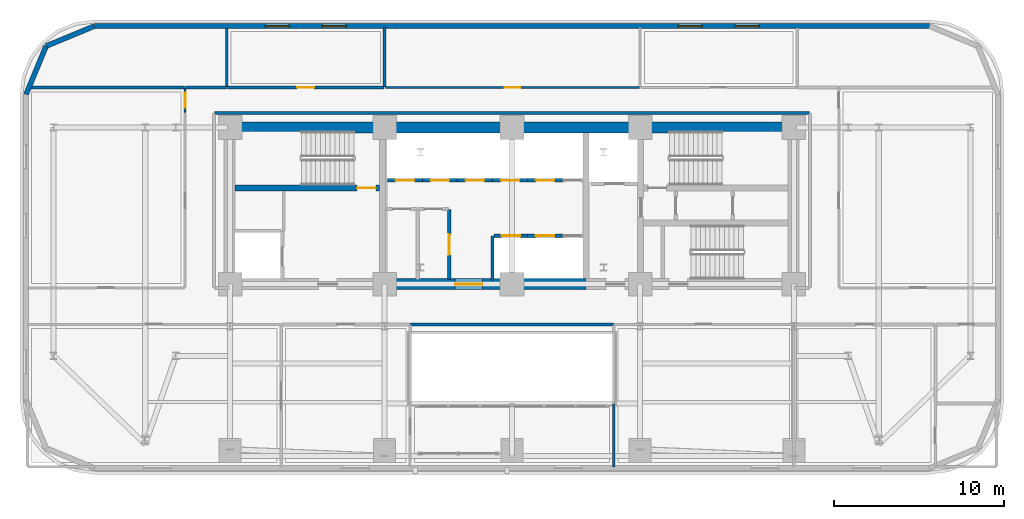
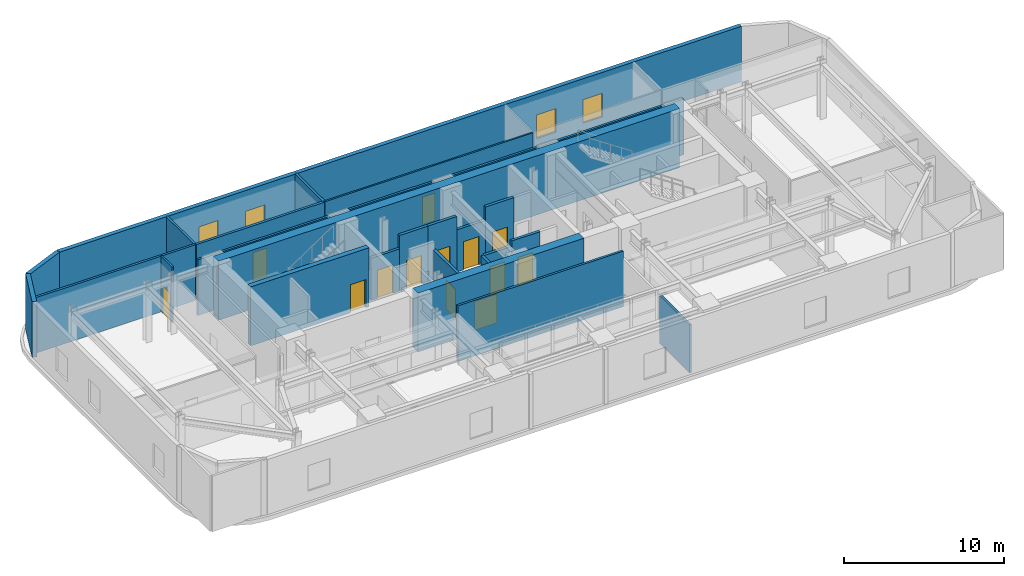
# One storey, part 9 of 14: 25 walls, 13 doors, 4 windows, 17 openings.
"""IFC4 building model written with IfcOpenShell, lengths in metres."""

import ifcopenshell
import ifcopenshell.guid

model = None  # the IFC model being written
_history = None  # IfcOwnerHistory: only IFC2X3 demands one
_inside = {}  # id of a spatial element -> (the spatial element, [elements in it])
_under = {}  # id of a project, library or spatial element -> (it, [spatial elements below it])
_declared = {}  # id of a project -> (the project, [libraries it declares])
_typed = {}  # id of a type object -> (the type object, [elements of that type])
_made_of = {}  # id of a material, layer set ... -> (it, [elements and type objects made of it])


def new_model(schema):
    """Start an empty IFC model of exactly this schema.

    Asked for "IFC4X3", IfcOpenShell would pick the latest addendum, in which some entities
    have other attributes; the version numbers below select the first issue.
    IFC2X3 requires an IfcOwnerHistory on every rooted entity: one is made here for all.
    """
    global model, _history
    if schema == "IFC4X3":
        model = ifcopenshell.file(schema_version=(4, 3, 0, 0))
    else:
        model = ifcopenshell.file(schema=schema)
    _inside.clear()
    _under.clear()
    _declared.clear()
    _typed.clear()
    _made_of.clear()
    _history = None
    if model.schema == "IFC2X3":
        org = make("IfcOrganization", Name="unknown")
        user = make(
            "IfcPersonAndOrganization",
            ThePerson=make("IfcPerson", FamilyName="unknown"),
            TheOrganization=org,
        )
        app = make(
            "IfcApplication",
            ApplicationDeveloper=org,
            Version="unknown",
            ApplicationFullName="unknown",
            ApplicationIdentifier="unknown",
        )
        _history = make(
            "IfcOwnerHistory",
            OwningUser=user,
            OwningApplication=app,
            ChangeAction="ADDED",
            CreationDate=0,
        )
    return model


def make(cls, **values):
    """One entity of the class cls with the attributes given. An attribute that is None is left unset."""
    return model.create_entity(
        cls, **{name: value for name, value in values.items() if value is not None}
    )


def rooted(cls, **values):
    """An entity with a GlobalId (a new one), such as an element, a storey or a relation."""
    return make(cls, GlobalId=ifcopenshell.guid.new(), OwnerHistory=_history, **values)


def si_unit(unit_type, name, prefix=None):
    """IfcSIUnit, for example si_unit("LENGTHUNIT", "METRE", prefix="MILLI")."""
    return make("IfcSIUnit", UnitType=unit_type, Prefix=prefix, Name=name)


def assignment(units):
    """IfcUnitAssignment: the units of a project."""
    return None if units is None else make("IfcUnitAssignment", Units=units)


def point(xyz):
    """IfcCartesianPoint."""
    return None if xyz is None else make("IfcCartesianPoint", Coordinates=xyz)


def direction(xyz):
    """IfcDirection."""
    return None if xyz is None else make("IfcDirection", DirectionRatios=xyz)


def frame(location, z_axis=None, x_axis=None):
    """IfcAxis2Placement3D, a coordinate frame: its origin and axes. An axis left out is left unset."""
    return make(
        "IfcAxis2Placement3D",
        Location=point(location),
        Axis=direction(z_axis),
        RefDirection=direction(x_axis),
    )


def frame_2d(location, x_axis=None):
    """IfcAxis2Placement2D, a coordinate frame in the plane: its origin and x axis."""
    return make(
        "IfcAxis2Placement2D", Location=point(location), RefDirection=direction(x_axis)
    )


def origin():
    """The frame at (0, 0, 0) with its axes left unset."""
    return frame((0.0, 0.0, 0.0))


def place(relative_to, where):
    """IfcLocalPlacement: puts the frame where relative to a parent placement (None: the world)."""
    return make(
        "IfcLocalPlacement", PlacementRelTo=relative_to, RelativePlacement=where
    )


def context(
    kind, dimensions, precision=None, world=None, true_north=None, identifier=None
):
    """IfcGeometricRepresentationContext, for example the 3D "Model" context."""
    return make(
        "IfcGeometricRepresentationContext",
        ContextIdentifier=identifier,
        ContextType=kind,
        CoordinateSpaceDimension=dimensions,
        Precision=precision,
        WorldCoordinateSystem=world,
        TrueNorth=true_north,
    )


def subcontext(parent, identifier, kind, view, scale=None):
    """IfcGeometricRepresentationSubContext, for example "Body" below "Model"."""
    return make(
        "IfcGeometricRepresentationSubContext",
        ContextIdentifier=identifier,
        ContextType=kind,
        ParentContext=parent,
        TargetScale=scale,
        TargetView=view,
    )


def project(units=None, contexts=None):
    """IfcProject with its units and contexts."""
    return rooted(
        "IfcProject",
        Name="project",
        RepresentationContexts=contexts,
        UnitsInContext=assignment(units),
    )


def spatial(cls, under=None, at=None, **own):
    """A site, building, storey or space (cls), placed at a placement, below another one or the project."""
    s = rooted(cls, ObjectPlacement=at, **own)
    if under is not None:
        _under.setdefault(under.id(), (under, []))[1].append(s)
    return s


def profile(cls, at=None, kind="AREA", **sizes):
    """A parametric profile (cls). Its sizes go by their IFC names, for example OverallWidth=200.0."""
    return make(cls, ProfileType=kind, Position=at, **sizes)


def rectangle(**sizes):
    """IfcRectangleProfileDef."""
    return profile("IfcRectangleProfileDef", **sizes)


def extrude(swept, where, along, depth):
    """IfcExtrudedAreaSolid: the profile swept, set in the frame where, extruded along a direction by depth."""
    return make(
        "IfcExtrudedAreaSolid",
        SweptArea=swept,
        Position=where,
        ExtrudedDirection=direction(along),
        Depth=depth,
    )


def shape(context_of_items, identifier, shape_type, items):
    """IfcShapeRepresentation: the items that make up one representation, for example the "Body"."""
    return make(
        "IfcShapeRepresentation",
        ContextOfItems=context_of_items,
        RepresentationIdentifier=identifier,
        RepresentationType=shape_type,
        Items=items,
    )


def material(Name=None, Category=None):
    """IfcMaterial."""
    return make("IfcMaterial", Name=Name, Category=Category)


def layer(
    of_material, thickness, ventilated=None, Name=None, Category=None, Priority=None
):
    """IfcMaterialLayer: one layer of a wall or slab, of a material (None: an air gap)."""
    return make(
        "IfcMaterialLayer",
        Material=of_material,
        LayerThickness=thickness,
        IsVentilated=ventilated,
        Name=Name,
        Category=Category,
        Priority=Priority,
    )


def layer_set(layers, Name=None):
    """IfcMaterialLayerSet."""
    return make("IfcMaterialLayerSet", MaterialLayers=layers, LayerSetName=Name)


def made_of(thing, what):
    """Note that an element or type object is made of a material, layer set ...; save() writes the relation."""
    if what is not None:
        _made_of.setdefault(what.id(), (what, []))[1].append(thing)
    return thing


def type_object(cls, material=None, **own):
    """A type object (cls), such as IfcWallType, which elements share."""
    return made_of(rooted(cls, **own), material)


def element(
    cls,
    number,
    at=None,
    inside=None,
    cuts=None,
    type_object=None,
    material=None,
    context=None,
    identifier="Body",
    shape_type=None,
    held_by="IfcProductDefinitionShape",
    body=None,
    shapes=None,
    **own,
):
    """One element of the class cls, such as IfcWall. Its Tag is "e" and its number.

    at: its placement. inside: the storey or other place that contains it. cuts: it is an
    opening in that element (IfcRelVoidsElement). A single representation is given by context,
    identifier, shape_type and body (its items); several are given by shapes. held_by: the class
    of the entity that holds the representations. save() writes the other relations.
    """
    e = rooted(cls, Tag="e%d" % number, ObjectPlacement=at, **own)
    if body is not None:
        shapes = [shape(context, identifier, shape_type, body)]
    if shapes is not None:
        e.Representation = make(held_by, Representations=shapes)
    if inside is not None:
        _inside.setdefault(inside.id(), (inside, []))[1].append(e)
    if cuts is not None:
        rooted(
            "IfcRelVoidsElement", RelatingBuildingElement=cuts, RelatedOpeningElement=e
        )
    if type_object is not None:
        _typed.setdefault(type_object.id(), (type_object, []))[1].append(e)
    return made_of(e, material)


def fill(opening, filler):
    """IfcRelFillsElement: the door or window that sits in an opening."""
    return rooted(
        "IfcRelFillsElement",
        RelatingOpeningElement=opening,
        RelatedBuildingElement=filler,
    )


def aggregate(whole, parts):
    """IfcRelAggregates: a whole, such as a stair, and the parts it consists of."""
    return rooted("IfcRelAggregates", RelatingObject=whole, RelatedObjects=parts)


def save(model, path):
    """Write the relations noted so far, then the file.

    IfcRelAggregates (storeys below a building ...), IfcRelContainedInSpatialStructure (elements
    in a storey), IfcRelDefinesByType, IfcRelAssociatesMaterial and IfcRelDeclares: one each for
    every whole, place, type object, material and project.
    """
    for whole, parts in _under.values():
        aggregate(whole, parts)
    for where, things in _inside.values():
        rooted(
            "IfcRelContainedInSpatialStructure",
            RelatedElements=things,
            RelatingStructure=where,
        )
    for kind, things in _typed.values():
        rooted("IfcRelDefinesByType", RelatedObjects=things, RelatingType=kind)
    for what, things in _made_of.values():
        rooted("IfcRelAssociatesMaterial", RelatedObjects=things, RelatingMaterial=what)
    for by, libraries in _declared.values():
        rooted("IfcRelDeclares", RelatingContext=by, RelatedDefinitions=libraries)
    model.write(path)


model = new_model("IFC4")

# Units and contexts
model_context = context("Model", 3, precision=1e-05, world=origin(), true_north=direction((0.0, 1.0)))
body_context = subcontext(model_context, "Body", "Model", "MODEL_VIEW")
ifc_project = project(units=[si_unit("LENGTHUNIT", "METRE"), si_unit("AREAUNIT", "SQUARE_METRE"), si_unit("VOLUMEUNIT", "CUBIC_METRE"), si_unit("PLANEANGLEUNIT", "RADIAN"), si_unit("MASSUNIT", "GRAM", prefix="KILO")], contexts=[model_context])

# Site, building, storey
site_placement = place(None, origin())
site = spatial("IfcSite", under=ifc_project, at=site_placement, CompositionType="ELEMENT")
building_placement = place(site_placement, origin())
building = spatial("IfcBuilding", under=site, at=building_placement, Name="Zarnavel Station Tower", CompositionType="ELEMENT")
storey_placement = place(building_placement, frame((0.0, 0.0, 89.800048828125)))
storey = spatial("IfcBuildingStorey", under=building, at=storey_placement, Name="L24", CompositionType="ELEMENT", Elevation=89.800048828125)

# Wall, opening, door
ifc_material_1 = material(Name="Concrete C50/60", Category="concrete")
ifc_layer_1 = layer(ifc_material_1, 0.35009765625)
ifc_layer_set_1 = layer_set([ifc_layer_1], Name="CW_350")
wall_type_1 = type_object("IfcWallType", Name="CW_350", PredefinedType="SHEAR", material=ifc_layer_set_1)
wall_1_placement = place(storey_placement, frame((21.0048828125, 33.47998046875, 0.0), z_axis=(0.0, 0.0, 1.0), x_axis=(-1.0, 0.0, 0.0)))
wall_1 = element("IfcWall", 1, at=wall_1_placement, inside=storey, type_object=wall_type_1, Name="L24 Rear Core Shear Wall DIV-H1", PredefinedType="SHEAR", context=body_context, shape_type="SweptSolid", body=[
    extrude(rectangle(XDim=8.52978515625, YDim=0.35009765625, at=frame_2d((4.264892578125, 0.0))), origin(), (0.0, 0.0, 1.0), 4.5),
])
opening_1_placement = place(wall_1_placement, frame((0.219970703125, 0.0, 0.0)))
opening_1 = element("IfcOpeningElement", 2, at=opening_1_placement, cuts=wall_1, Name="Opening FD01", PredefinedType="OPENING", context=body_context, shape_type="SweptSolid", body=[
    extrude(rectangle(XDim=1.10009765625, YDim=2.14990234375, at=frame_2d((0.550048828125, 1.074951171875))), frame((0.0, 0.18505859375, 0.0), z_axis=(0.0, -1.0, 0.0), x_axis=(1.0, 0.0, 0.0)), (0.0, 0.0, 1.0), 0.3701171875),
])
ifc_material_2 = material(Name="Painted Galvanised Steel and Hardwood Leaf", Category="steel")
door_type_1 = type_object("IfcDoorType", Name="ID_STAIR_1100", OperationType="NOTDEFINED", PredefinedType="DOOR", material=ifc_material_2)
door_1_placement = place(opening_1_placement, origin())
door_1 = element("IfcDoor", 3, at=door_1_placement, inside=storey, type_object=door_type_1, Name="L24 Stair ST1 Lobby Fire Door", OperationType="SINGLE_SWING_LEFT", OverallHeight=2.14990234375, OverallWidth=1.10009765625, PredefinedType="DOOR", context=body_context, shape_type="SweptSolid", body=[
    extrude(rectangle(XDim=1.10009765625, YDim=2.14990234375, at=frame_2d((0.550048828125, 1.074951171875))), frame((0.0, 0.02490234375, 0.0), z_axis=(0.0, -1.0, 0.0), x_axis=(1.0, 0.0, 0.0)), (0.0, 0.0, 1.0), 0.050048828125),
])
fill(opening_1, door_1)

# Wall
ifc_material_3 = material(Name="Concrete C60/75", Category="concrete")
ifc_layer_2 = layer(ifc_material_3, 0.64990234375)
ifc_layer_set_2 = layer_set([ifc_layer_2], Name="CW_650")
wall_type_2 = type_object("IfcWallType", Name="CW_650", PredefinedType="SHEAR", material=ifc_layer_set_2)
wall_2_placement = place(storey_placement, frame((12.14990234375, 37.050048828125, 0.0), z_axis=(0.0, 0.0, 1.0), x_axis=(1.0, 0.0, 0.0)))
element("IfcWall", 4, at=wall_2_placement, inside=storey, type_object=wall_type_2, Name="L24 Rear Core Shear Wall N", PredefinedType="SHEAR", context=body_context, shape_type="SweptSolid", body=[
    extrude(rectangle(XDim=33.22998046875, YDim=0.64990234375, at=frame_2d((16.614990234375, 0.0))), origin(), (0.0, 0.0, 1.0), 4.5),
])

# Wall, opening, door
wall_3_placement = place(storey_placement, frame((33.14990234375, 27.820068359375, 0.0), z_axis=(0.0, 0.0, 1.0), x_axis=(-1.0, 0.0, 0.0)))
wall_3 = element("IfcWall", 5, at=wall_3_placement, inside=storey, type_object=wall_type_2, Name="L24 Rear Core Shear Wall S-M", PredefinedType="SHEAR", context=body_context, shape_type="SweptSolid", body=[
    extrude(rectangle(XDim=11.969970703125, YDim=0.64990234375, at=frame_2d((5.98486328125, 0.0))), origin(), (0.0, 0.0, 1.0), 4.5),
])
opening_2_placement = place(wall_3_placement, frame((6.10009765625, 0.0, 0.0)))
opening_2 = element("IfcOpeningElement", 6, at=opening_2_placement, cuts=wall_3, Name="Opening ID03", PredefinedType="OPENING", context=body_context, shape_type="SweptSolid", body=[
    extrude(rectangle(XDim=1.60009765625, YDim=2.199951171875, at=frame_2d((0.800048828125, 1.10009765625))), frame((0.0, 0.3349609375, 0.0), z_axis=(0.0, -1.0, 0.0), x_axis=(1.0, 0.0, 0.0)), (0.0, 0.0, 1.0), 0.669921875),
])
ifc_material_4 = material(Name="Painted Galvanised Steel and Hardwood Leaf", Category="steel")
door_type_2 = type_object("IfcDoorType", Name="ID_PUBLIC_1600", OperationType="DOUBLE_DOOR_SINGLE_SWING", PredefinedType="DOOR", material=ifc_material_4)
door_2_placement = place(opening_2_placement, origin())
door_2 = element("IfcDoor", 7, at=door_2_placement, inside=storey, type_object=door_type_2, Name="L24 Passenger Lift Lobby Double Door", OperationType="SINGLE_SWING_LEFT", OverallHeight=2.199951171875, OverallWidth=1.60009765625, PredefinedType="DOOR", context=body_context, shape_type="SweptSolid", body=[
    extrude(rectangle(XDim=1.60009765625, YDim=2.199951171875, at=frame_2d((0.800048828125, 1.10009765625))), frame((0.0, 0.02490234375, 0.0), z_axis=(0.0, -1.0, 0.0), x_axis=(1.0, 0.0, 0.0)), (0.0, 0.0, 1.0), 0.050048828125),
])
fill(opening_2, door_2)

# Wall, openings, windows
ifc_material_5 = material(Name="Precast concrete C45/55 (Dark Basalt Finish)", Category="masonry")
ifc_layer_3 = layer(ifc_material_5, 0.300048828125)
ifc_layer_set_3 = layer_set([ifc_layer_3], Name="EW_BASALT_300")
wall_type_3 = type_object("IfcWallType", Name="EW_BASALT_300", PredefinedType="SOLIDWALL", material=ifc_layer_set_3)
wall_4_placement = place(storey_placement, frame((4.199951171875, 43.02001953125, 0.0), z_axis=(0.0, 0.0, 1.0), x_axis=(1.0, 0.0, 0.0)))
wall_4 = element("IfcWall", 8, at=wall_4_placement, inside=storey, type_object=wall_type_3, Name="L24 Exterior Basalt Masonry Frame Wall 06", PredefinedType="SOLIDWALL", context=body_context, shape_type="SweptSolid", body=[
    extrude(rectangle(XDim=49.199951171875, YDim=0.300048828125, at=frame_2d((24.60009765625, 0.0))), origin(), (0.0, 0.0, 1.0), 4.239990234375),
])
opening_3_placement = place(wall_4_placement, frame((10.066650390625, 0.0, 0.85009765625)))
opening_3 = element("IfcOpeningElement", 9, at=opening_3_placement, cuts=wall_4, Name="Opening WN01", PredefinedType="OPENING", context=body_context, shape_type="SweptSolid", body=[
    extrude(rectangle(XDim=1.39990234375, YDim=1.800048828125, at=frame_2d((0.699951171875, 0.89990234375))), frame((0.0, 0.159912109375, 0.0), z_axis=(0.0, -1.0, 0.0), x_axis=(1.0, 0.0, 0.0)), (0.0, 0.0, 1.0), 0.320068359375),
])
opening_4_placement = place(wall_4_placement, frame((13.433349609375, 0.0, 0.85009765625)))
opening_4 = element("IfcOpeningElement", 10, at=opening_4_placement, cuts=wall_4, Name="Opening WN01", PredefinedType="OPENING", context=body_context, shape_type="SweptSolid", body=[
    extrude(rectangle(XDim=1.39990234375, YDim=1.800048828125, at=frame_2d((0.699951171875, 0.89990234375))), frame((0.0, 0.159912109375, 0.0), z_axis=(0.0, -1.0, 0.0), x_axis=(1.0, 0.0, 0.0)), (0.0, 0.0, 1.0), 0.320068359375),
])
opening_5_placement = place(wall_4_placement, frame((34.39990234375, 0.0, 0.85009765625)))
opening_5 = element("IfcOpeningElement", 11, at=opening_5_placement, cuts=wall_4, Name="Opening WN01", PredefinedType="OPENING", context=body_context, shape_type="SweptSolid", body=[
    extrude(rectangle(XDim=1.39990234375, YDim=1.800048828125, at=frame_2d((0.699951171875, 0.89990234375))), frame((0.0, 0.159912109375, 0.0), z_axis=(0.0, -1.0, 0.0), x_axis=(1.0, 0.0, 0.0)), (0.0, 0.0, 1.0), 0.320068359375),
])
opening_6_placement = place(wall_4_placement, frame((37.75, 0.0, 0.85009765625)))
opening_6 = element("IfcOpeningElement", 12, at=opening_6_placement, cuts=wall_4, Name="Opening WN01", PredefinedType="OPENING", context=body_context, shape_type="SweptSolid", body=[
    extrude(rectangle(XDim=1.39990234375, YDim=1.800048828125, at=frame_2d((0.699951171875, 0.89990234375))), frame((0.0, 0.159912109375, 0.0), z_axis=(0.0, -1.0, 0.0), x_axis=(1.0, 0.0, 0.0)), (0.0, 0.0, 1.0), 0.320068359375),
])
ifc_material_6 = material(Name="Thermally Broken Black Aluminium and Low-E Dark Glass", Category="aluminium")
window_type = type_object("IfcWindowType", Name="WN_1400x1800", PartitioningType="DOUBLE_PANEL_VERTICAL", PredefinedType="WINDOW", material=ifc_material_6)
window_1_placement = place(opening_3_placement, origin())
window_1 = element("IfcWindow", 13, at=window_1_placement, inside=storey, type_object=window_type, Name="L24 Recessed Facade Window 01", OverallHeight=1.800048828125, OverallWidth=1.39990234375, PartitioningType="SINGLE_PANEL", PredefinedType="WINDOW", context=body_context, shape_type="SweptSolid", body=[
    extrude(rectangle(XDim=1.39990234375, YDim=1.800048828125, at=frame_2d((0.699951171875, 0.89990234375))), frame((0.0, 0.030029296875, 0.0), z_axis=(0.0, -1.0, 0.0), x_axis=(1.0, 0.0, 0.0)), (0.0, 0.0, 1.0), 0.06005859375),
])
fill(opening_3, window_1)
window_2_placement = place(opening_4_placement, origin())
window_2 = element("IfcWindow", 14, at=window_2_placement, inside=storey, type_object=window_type, Name="L24 Recessed Facade Window 02", OverallHeight=1.800048828125, OverallWidth=1.39990234375, PartitioningType="SINGLE_PANEL", PredefinedType="WINDOW", context=body_context, shape_type="SweptSolid", body=[
    extrude(rectangle(XDim=1.39990234375, YDim=1.800048828125, at=frame_2d((0.699951171875, 0.89990234375))), frame((0.0, 0.030029296875, 0.0), z_axis=(0.0, -1.0, 0.0), x_axis=(1.0, 0.0, 0.0)), (0.0, 0.0, 1.0), 0.06005859375),
])
fill(opening_4, window_2)
window_3_placement = place(opening_5_placement, origin())
window_3 = element("IfcWindow", 15, at=window_3_placement, inside=storey, type_object=window_type, Name="L24 Recessed Facade Window 03", OverallHeight=1.800048828125, OverallWidth=1.39990234375, PartitioningType="SINGLE_PANEL", PredefinedType="WINDOW", context=body_context, shape_type="SweptSolid", body=[
    extrude(rectangle(XDim=1.39990234375, YDim=1.800048828125, at=frame_2d((0.699951171875, 0.89990234375))), frame((0.0, 0.030029296875, 0.0), z_axis=(0.0, -1.0, 0.0), x_axis=(1.0, 0.0, 0.0)), (0.0, 0.0, 1.0), 0.06005859375),
])
fill(opening_5, window_3)
window_4_placement = place(opening_6_placement, origin())
window_4 = element("IfcWindow", 16, at=window_4_placement, inside=storey, type_object=window_type, Name="L24 Recessed Facade Window 04", OverallHeight=1.800048828125, OverallWidth=1.39990234375, PartitioningType="SINGLE_PANEL", PredefinedType="WINDOW", context=body_context, shape_type="SweptSolid", body=[
    extrude(rectangle(XDim=1.39990234375, YDim=1.800048828125, at=frame_2d((0.699951171875, 0.89990234375))), frame((0.0, 0.030029296875, 0.0), z_axis=(0.0, -1.0, 0.0), x_axis=(1.0, 0.0, 0.0)), (0.0, 0.0, 1.0), 0.06005859375),
])
fill(opening_6, window_4)

# Walls
for number, where, z_axis, x_axis, name in (
    (17, (1.357421875, 41.842529296875, 0.0), (0.0, 0.0, 1.0), (0.923870793506, 0.382704529509, 0.0), "L24 Exterior Basalt Masonry Frame Wall 07"),
    (18, (0.179931640625, 39.0, 0.0), (0.0, 0.0, 1.0), (0.382704529509, 0.923870793506, 0.0), "L24 Exterior Basalt Masonry Frame Wall 08"),
):
    element("IfcWall", number, at=place(storey_placement, frame(where, z_axis=z_axis, x_axis=x_axis)), inside=storey, type_object=wall_type_3, Name=name, PredefinedType="SOLIDWALL", context=body_context, shape_type="SweptSolid", body=[
        extrude(rectangle(XDim=3.07666015625, YDim=0.300048828125, at=frame_2d((1.538330078125, 0.0))), origin(), (0.0, 0.0, 1.0), 4.239990234375),
    ])
ifc_material_7 = material(Name="Gypsum Twin-Stud Acoustic Fire Partition", Category="concrete")
ifc_layer_4 = layer(ifc_material_7, 0.159912109375)
ifc_layer_set_4 = layer_set([ifc_layer_4], Name="PT_DEMISE_160")
wall_type_4 = type_object("IfcWallType", Name="PT_DEMISE_160", PredefinedType="PARTITIONING", material=ifc_layer_set_4)
wall_5_placement = place(storey_placement, frame((34.800048828125, 17.06005859375, 0.0), z_axis=(0.0, 0.0, 1.0), x_axis=(0.0, 1.0, 0.0)))
element("IfcWall", 19, at=wall_5_placement, inside=storey, type_object=wall_type_4, Name="L24 Partition SLBAR-SLSAL", PredefinedType="PARTITIONING", context=body_context, shape_type="SweptSolid", body=[
    extrude(rectangle(XDim=3.699951171875, YDim=0.159912109375, at=frame_2d((1.85009765625, 0.0))), origin(), (0.0, 0.0, 1.0), 3.679931640625),
])
wall_6_placement = place(storey_placement, frame((22.830078125, 25.449951171875, 0.0), z_axis=(0.0, 0.0, 1.0), x_axis=(1.0, 0.0, 0.0)))
element("IfcWall", 20, at=wall_6_placement, inside=storey, type_object=wall_type_4, Name="L24 Enclosure Wall SLCOR-S", PredefinedType="PARTITIONING", context=body_context, shape_type="SweptSolid", body=[
    extrude(rectangle(XDim=11.93994140625, YDim=0.159912109375, at=frame_2d((5.969970703125, 0.0))), origin(), (0.0, 0.0, 1.0), 4.239990234375),
])
wall_7_placement = place(storey_placement, frame((11.280029296875, 37.89990234375, 0.0), z_axis=(0.0, 0.0, 1.0), x_axis=(1.0, 0.0, 0.0)))
element("IfcWall", 21, at=wall_7_placement, inside=storey, type_object=wall_type_4, Name="L24 Enclosure Wall SLCOR-N", PredefinedType="PARTITIONING", context=body_context, shape_type="SweptSolid", body=[
    extrude(rectangle(XDim=35.0400390625, YDim=0.159912109375, at=frame_2d((17.52001953125, 0.0))), origin(), (0.0, 0.0, 1.0), 4.239990234375),
])
wall_8_placement = place(storey_placement, frame((9.580078125, 39.39990234375, 0.0), z_axis=(0.0, 0.0, 1.0), x_axis=(1.0, 0.0, 0.0)))
element("IfcWall", 22, at=wall_8_placement, inside=storey, type_object=wall_type_4, Name="L24 Enclosure Wall SLCOR-N", PredefinedType="PARTITIONING", context=body_context, shape_type="SweptSolid", body=[
    extrude(rectangle(XDim=2.389892578125, YDim=0.159912109375, at=frame_2d((1.19482421875, 0.0))), origin(), (0.0, 0.0, 1.0), 4.239990234375),
])
wall_9_placement = place(storey_placement, frame((0.2900390625, 39.39990234375, 0.0), z_axis=(0.0, 0.0, 1.0), x_axis=(1.0, 0.0, 0.0)))
element("IfcWall", 23, at=wall_9_placement, inside=storey, type_object=wall_type_4, Name="L24 Enclosure Wall SLNW", PredefinedType="PARTITIONING", context=body_context, shape_type="SweptSolid", body=[
    extrude(rectangle(XDim=9.22998046875, YDim=0.159912109375, at=frame_2d((4.614990234375, 0.0))), origin(), (0.0, 0.0, 1.0), 4.239990234375),
])
wall_10_placement = place(storey_placement, frame((12.0, 39.429931640625, 0.0), z_axis=(0.0, 0.0, 1.0), x_axis=(0.0, 1.0, 0.0)))
element("IfcWall", 24, at=wall_10_placement, inside=storey, type_object=wall_type_4, Name="L24 Enclosure Wall SLNP", PredefinedType="PARTITIONING", context=body_context, shape_type="SweptSolid", body=[
    extrude(rectangle(XDim=3.47998046875, YDim=0.159912109375, at=frame_2d((1.739990234375, 0.0))), origin(), (0.0, 0.0, 1.0), 4.239990234375),
])

# Wall, opening, door
ifc_material_8 = material(Name="Gypsum Metal-Stud Interior Partition", Category="concrete")
ifc_layer_5 = layer(ifc_material_8, 0.1201171875)
ifc_layer_set_5 = layer_set([ifc_layer_5], Name="PT_ROOM_120")
wall_type_5 = type_object("IfcWallType", Name="PT_ROOM_120", PredefinedType="PARTITIONING", material=ifc_layer_set_5)
wall_11_placement = place(storey_placement, frame((9.550048828125, 37.93994140625, 0.0), z_axis=(0.0, 0.0, 1.0), x_axis=(0.0, 1.0, 0.0)))
wall_11 = element("IfcWall", 25, at=wall_11_placement, inside=storey, type_object=wall_type_5, Name="L24 Partition SLCOR-N-SLNW", PredefinedType="PARTITIONING", context=body_context, shape_type="SweptSolid", body=[
    extrude(rectangle(XDim=1.420166015625, YDim=0.1201171875, at=frame_2d((0.7099609375, 0.0))), origin(), (0.0, 0.0, 1.0), 4.239990234375),
])
opening_7_placement = place(wall_11_placement, frame((0.260009765625, 0.0, 0.0)))
opening_7 = element("IfcOpeningElement", 26, at=opening_7_placement, cuts=wall_11, Name="Opening ID01", PredefinedType="OPENING", context=body_context, shape_type="SweptSolid", body=[
    extrude(rectangle(XDim=0.89990234375, YDim=2.10009765625, at=frame_2d((0.449951171875, 1.050048828125))), frame((0.0, 0.070068359375, 0.0), z_axis=(0.0, -1.0, 0.0), x_axis=(1.0, 0.0, 0.0)), (0.0, 0.0, 1.0), 0.14013671875),
])
ifc_material_9 = material(Name="Painted Galvanised Steel and Hardwood Leaf", Category="steel")
door_type_3 = type_object("IfcDoorType", Name="ID_ROOM_900", OperationType="NOTDEFINED", PredefinedType="DOOR", material=ifc_material_9)
door_3_placement = place(opening_7_placement, origin())
door_3 = element("IfcDoor", 27, at=door_3_placement, inside=storey, type_object=door_type_3, Name="L24 Door SLCOR-N-SLNW", OperationType="SINGLE_SWING_RIGHT", OverallHeight=2.10009765625, OverallWidth=0.89990234375, PredefinedType="DOOR", context=body_context, shape_type="SweptSolid", body=[
    extrude(rectangle(XDim=0.89990234375, YDim=2.10009765625, at=frame_2d((0.449951171875, 1.050048828125))), frame((0.0, 0.02490234375, 0.0), z_axis=(0.0, -1.0, 0.0), x_axis=(1.0, 0.0, 0.0)), (0.0, 0.0, 1.0), 0.050048828125),
])
fill(opening_7, door_3)

wall_12_placement = place(storey_placement, frame((21.340087890625, 39.39990234375, 0.0), z_axis=(0.0, 0.0, 1.0), x_axis=(1.0, 0.0, 0.0)))
wall_12 = element("IfcWall", 28, at=wall_12_placement, inside=storey, type_object=wall_type_5, Name="L24 Partition SLCOR-N-SLNS", PredefinedType="PARTITIONING", context=body_context, shape_type="SweptSolid", body=[
    extrude(rectangle(XDim=14.969970703125, YDim=0.1201171875, at=frame_2d((7.48486328125, 0.0))), origin(), (0.0, 0.0, 1.0), 4.239990234375),
])
opening_8_placement = place(wall_12_placement, frame((7.034912109375, 0.0, 0.0)))
opening_8 = element("IfcOpeningElement", 29, at=opening_8_placement, cuts=wall_12, Name="Opening ID01", PredefinedType="OPENING", context=body_context, shape_type="SweptSolid", body=[
    extrude(rectangle(XDim=0.89990234375, YDim=2.10009765625, at=frame_2d((0.449951171875, 1.050048828125))), frame((0.0, 0.070068359375, 0.0), z_axis=(0.0, -1.0, 0.0), x_axis=(1.0, 0.0, 0.0)), (0.0, 0.0, 1.0), 0.14013671875),
])
door_4_placement = place(opening_8_placement, origin())
door_4 = element("IfcDoor", 30, at=door_4_placement, inside=storey, type_object=door_type_3, Name="L24 Door SLCOR-N-SLNS", OperationType="SINGLE_SWING_LEFT", OverallHeight=2.10009765625, OverallWidth=0.89990234375, PredefinedType="DOOR", context=body_context, shape_type="SweptSolid", body=[
    extrude(rectangle(XDim=0.89990234375, YDim=2.10009765625, at=frame_2d((0.449951171875, 1.050048828125))), frame((0.0, 0.02490234375, 0.0), z_axis=(0.0, -1.0, 0.0), x_axis=(1.0, 0.0, 0.0)), (0.0, 0.0, 1.0), 0.050048828125),
])
fill(opening_8, door_4)

ifc_material_10 = material(Name="Precast concrete C45/55 (Fire Shaft Blockwork)", Category="masonry")
ifc_layer_6 = layer(ifc_material_10, 0.199951171875)
ifc_layer_set_6 = layer_set([ifc_layer_6], Name="PT_SHAFT_200")
wall_type_6 = type_object("IfcWallType", Name="PT_SHAFT_200", PredefinedType="PARTITIONING", material=ifc_layer_set_6)
wall_13_placement = place(storey_placement, frame((27.75, 30.669921875, 0.0), z_axis=(0.0, 0.0, 1.0), x_axis=(1.0, 0.0, 0.0)))
wall_13 = element("IfcWall", 31, at=wall_13_placement, inside=storey, type_object=wall_type_6, Name="L24 Lift PL-H1 Shaft Front Wall", PredefinedType="PARTITIONING", context=body_context, shape_type="SweptSolid", body=[
    extrude(rectangle(XDim=1.97509765625, YDim=0.199951171875, at=frame_2d((0.987548828125, 0.0))), origin(), (0.0, 0.0, 1.0), 3.2119140625),
])
opening_9_placement = place(wall_13_placement, frame((0.4375, 0.0, 0.0)))
opening_9 = element("IfcOpeningElement", 32, at=opening_9_placement, cuts=wall_13, Name="Opening LD02", PredefinedType="OPENING", context=body_context, shape_type="SweptSolid", body=[
    extrude(rectangle(XDim=1.10009765625, YDim=2.14990234375, at=frame_2d((0.550048828125, 1.074951171875))), frame((0.0, 0.10986328125, 0.0), z_axis=(0.0, -1.0, 0.0), x_axis=(1.0, 0.0, 0.0)), (0.0, 0.0, 1.0), 0.219970703125),
])
ifc_material_11 = material(Name="Painted Galvanised Steel and Hardwood Leaf", Category="steel")
door_type_4 = type_object("IfcDoorType", Name="LD_PAX_1100", OperationType="DOUBLE_DOOR_SLIDING", PredefinedType="DOOR", material=ifc_material_11)
door_5_placement = place(opening_9_placement, origin())
door_5 = element("IfcDoor", 33, at=door_5_placement, inside=storey, type_object=door_type_4, Name="L24 Lift PL-H1 Sliding Landing Door", OperationType="DOUBLE_DOOR_SLIDING", OverallHeight=2.14990234375, OverallWidth=1.10009765625, PredefinedType="DOOR", context=body_context, shape_type="SweptSolid", body=[
    extrude(rectangle(XDim=1.10009765625, YDim=2.14990234375, at=frame_2d((0.550048828125, 1.074951171875))), frame((0.0, 0.02490234375, 0.0), z_axis=(0.0, -1.0, 0.0), x_axis=(1.0, 0.0, 0.0)), (0.0, 0.0, 1.0), 0.050048828125),
])
fill(opening_9, door_5)

# Wall
wall_14_placement = place(storey_placement, frame((27.64990234375, 28.070068359375, 0.0), z_axis=(0.0, 0.0, 1.0), x_axis=(0.0, 1.0, 0.0)))
element("IfcWall", 34, at=wall_14_placement, inside=storey, type_object=wall_type_6, Name="L24 High-Rise Lift Bank West Shaft Wall", PredefinedType="PARTITIONING", context=body_context, shape_type="SweptSolid", body=[
    extrude(rectangle(XDim=2.579833984375, YDim=0.199951171875, at=frame_2d((1.2900390625, 0.0))), origin(), (0.0, 0.0, 1.0), 3.2119140625),
])

# Wall, opening, door
wall_15_placement = place(storey_placement, frame((29.72509765625, 30.669921875, 0.0), z_axis=(0.0, 0.0, 1.0), x_axis=(1.0, 0.0, 0.0)))
wall_15 = element("IfcWall", 35, at=wall_15_placement, inside=storey, type_object=wall_type_6, Name="L24 Lift PL-H2 Shaft Front Wall", PredefinedType="PARTITIONING", context=body_context, shape_type="SweptSolid", body=[
    extrude(rectangle(XDim=2.0498046875, YDim=0.199951171875, at=frame_2d((1.02490234375, 0.0))), origin(), (0.0, 0.0, 1.0), 3.619873046875),
])
opening_10_placement = place(wall_15_placement, frame((0.47509765625, 0.0, 0.0)))
opening_10 = element("IfcOpeningElement", 36, at=opening_10_placement, cuts=wall_15, Name="Opening LD02", PredefinedType="OPENING", context=body_context, shape_type="SweptSolid", body=[
    extrude(rectangle(XDim=1.10009765625, YDim=2.14990234375, at=frame_2d((0.550048828125, 1.074951171875))), frame((0.0, 0.10986328125, 0.0), z_axis=(0.0, -1.0, 0.0), x_axis=(1.0, 0.0, 0.0)), (0.0, 0.0, 1.0), 0.219970703125),
])
door_6_placement = place(opening_10_placement, origin())
door_6 = element("IfcDoor", 37, at=door_6_placement, inside=storey, type_object=door_type_4, Name="L24 Lift PL-H2 Sliding Landing Door", OperationType="DOUBLE_DOOR_SLIDING", OverallHeight=2.14990234375, OverallWidth=1.10009765625, PredefinedType="DOOR", context=body_context, shape_type="SweptSolid", body=[
    extrude(rectangle(XDim=1.10009765625, YDim=2.14990234375, at=frame_2d((0.550048828125, 1.074951171875))), frame((0.0, 0.02490234375, 0.0), z_axis=(0.0, -1.0, 0.0), x_axis=(1.0, 0.0, 0.0)), (0.0, 0.0, 1.0), 0.050048828125),
])
fill(opening_10, door_6)

wall_16_placement = place(storey_placement, frame((21.4599609375, 33.929931640625, 0.0), z_axis=(0.0, 0.0, 1.0), x_axis=(1.0, 0.0, 0.0)))
wall_16 = element("IfcWall", 38, at=wall_16_placement, inside=storey, type_object=wall_type_6, Name="L24 Lift PL-L1 Shaft Front Wall", PredefinedType="PARTITIONING", context=body_context, shape_type="SweptSolid", body=[
    extrude(rectangle(XDim=2.06494140625, YDim=0.199951171875, at=frame_2d((1.032470703125, 0.0))), origin(), (0.0, 0.0, 1.0), 3.2119140625),
])
opening_11_placement = place(wall_16_placement, frame((0.482421875, 0.0, 0.0)))
opening_11 = element("IfcOpeningElement", 39, at=opening_11_placement, cuts=wall_16, Name="Opening LD02", PredefinedType="OPENING", context=body_context, shape_type="SweptSolid", body=[
    extrude(rectangle(XDim=1.10009765625, YDim=2.14990234375, at=frame_2d((0.550048828125, 1.074951171875))), frame((0.0, 0.10986328125, 0.0), z_axis=(0.0, -1.0, 0.0), x_axis=(1.0, 0.0, 0.0)), (0.0, 0.0, 1.0), 0.219970703125),
])
door_7_placement = place(opening_11_placement, origin())
door_7 = element("IfcDoor", 40, at=door_7_placement, inside=storey, type_object=door_type_4, Name="L24 Lift PL-L1 Sliding Landing Door", OperationType="DOUBLE_DOOR_SLIDING", OverallHeight=2.14990234375, OverallWidth=1.10009765625, PredefinedType="DOOR", context=body_context, shape_type="SweptSolid", body=[
    extrude(rectangle(XDim=1.10009765625, YDim=2.14990234375, at=frame_2d((0.550048828125, 1.074951171875))), frame((0.0, 0.02490234375, 0.0), z_axis=(0.0, -1.0, 0.0), x_axis=(1.0, 0.0, 0.0)), (0.0, 0.0, 1.0), 0.050048828125),
])
fill(opening_11, door_7)

wall_17_placement = place(storey_placement, frame((23.52490234375, 33.929931640625, 0.0), z_axis=(0.0, 0.0, 1.0), x_axis=(1.0, 0.0, 0.0)))
wall_17 = element("IfcWall", 41, at=wall_17_placement, inside=storey, type_object=wall_type_6, Name="L24 Lift PL-L2 Shaft Front Wall", PredefinedType="PARTITIONING", context=body_context, shape_type="SweptSolid", body=[
    extrude(rectangle(XDim=2.050048828125, YDim=0.199951171875, at=frame_2d((1.02490234375, 0.0))), origin(), (0.0, 0.0, 1.0), 4.239990234375),
])
opening_12_placement = place(wall_17_placement, frame((0.47509765625, 0.0, 0.0)))
opening_12 = element("IfcOpeningElement", 42, at=opening_12_placement, cuts=wall_17, Name="Opening LD02", PredefinedType="OPENING", context=body_context, shape_type="SweptSolid", body=[
    extrude(rectangle(XDim=1.10009765625, YDim=2.14990234375, at=frame_2d((0.550048828125, 1.074951171875))), frame((0.0, 0.10986328125, 0.0), z_axis=(0.0, -1.0, 0.0), x_axis=(1.0, 0.0, 0.0)), (0.0, 0.0, 1.0), 0.219970703125),
])
door_8_placement = place(opening_12_placement, origin())
door_8 = element("IfcDoor", 43, at=door_8_placement, inside=storey, type_object=door_type_4, Name="L24 Lift PL-L2 Sliding Landing Door", OperationType="DOUBLE_DOOR_SLIDING", OverallHeight=2.14990234375, OverallWidth=1.10009765625, PredefinedType="DOOR", context=body_context, shape_type="SweptSolid", body=[
    extrude(rectangle(XDim=1.10009765625, YDim=2.14990234375, at=frame_2d((0.550048828125, 1.074951171875))), frame((0.0, 0.02490234375, 0.0), z_axis=(0.0, -1.0, 0.0), x_axis=(1.0, 0.0, 0.0)), (0.0, 0.0, 1.0), 0.050048828125),
])
fill(opening_12, door_8)

wall_18_placement = place(storey_placement, frame((25.574951171875, 33.929931640625, 0.0), z_axis=(0.0, 0.0, 1.0), x_axis=(1.0, 0.0, 0.0)))
wall_18 = element("IfcWall", 44, at=wall_18_placement, inside=storey, type_object=wall_type_6, Name="L24 Lift PL-L3 Shaft Front Wall", PredefinedType="PARTITIONING", context=body_context, shape_type="SweptSolid", body=[
    extrude(rectangle(XDim=2.074951171875, YDim=0.199951171875, at=frame_2d((1.03759765625, 0.0))), origin(), (0.0, 0.0, 1.0), 4.239990234375),
])
opening_13_placement = place(wall_18_placement, frame((0.487548828125, 0.0, 0.0)))
opening_13 = element("IfcOpeningElement", 45, at=opening_13_placement, cuts=wall_18, Name="Opening LD02", PredefinedType="OPENING", context=body_context, shape_type="SweptSolid", body=[
    extrude(rectangle(XDim=1.10009765625, YDim=2.14990234375, at=frame_2d((0.550048828125, 1.074951171875))), frame((0.0, 0.10986328125, 0.0), z_axis=(0.0, -1.0, 0.0), x_axis=(1.0, 0.0, 0.0)), (0.0, 0.0, 1.0), 0.219970703125),
])
door_9_placement = place(opening_13_placement, origin())
door_9 = element("IfcDoor", 46, at=door_9_placement, inside=storey, type_object=door_type_4, Name="L24 Lift PL-L3 Sliding Landing Door", OperationType="DOUBLE_DOOR_SLIDING", OverallHeight=2.14990234375, OverallWidth=1.10009765625, PredefinedType="DOOR", context=body_context, shape_type="SweptSolid", body=[
    extrude(rectangle(XDim=1.10009765625, YDim=2.14990234375, at=frame_2d((0.550048828125, 1.074951171875))), frame((0.0, 0.02490234375, 0.0), z_axis=(0.0, -1.0, 0.0), x_axis=(1.0, 0.0, 0.0)), (0.0, 0.0, 1.0), 0.050048828125),
])
fill(opening_13, door_9)

wall_19_placement = place(storey_placement, frame((27.64990234375, 33.929931640625, 0.0), z_axis=(0.0, 0.0, 1.0), x_axis=(1.0, 0.0, 0.0)))
wall_19 = element("IfcWall", 47, at=wall_19_placement, inside=storey, type_object=wall_type_6, Name="L24 Lift PL-M1 Shaft Front Wall", PredefinedType="PARTITIONING", context=body_context, shape_type="SweptSolid", body=[
    extrude(rectangle(XDim=2.0751953125, YDim=0.199951171875, at=frame_2d((1.03759765625, 0.0))), origin(), (0.0, 0.0, 1.0), 3.2119140625),
])
opening_14_placement = place(wall_19_placement, frame((0.487548828125, 0.0, 0.0)))
opening_14 = element("IfcOpeningElement", 48, at=opening_14_placement, cuts=wall_19, Name="Opening LD02", PredefinedType="OPENING", context=body_context, shape_type="SweptSolid", body=[
    extrude(rectangle(XDim=1.10009765625, YDim=2.14990234375, at=frame_2d((0.550048828125, 1.074951171875))), frame((0.0, 0.10986328125, 0.0), z_axis=(0.0, -1.0, 0.0), x_axis=(1.0, 0.0, 0.0)), (0.0, 0.0, 1.0), 0.219970703125),
])
door_10_placement = place(opening_14_placement, origin())
door_10 = element("IfcDoor", 49, at=door_10_placement, inside=storey, type_object=door_type_4, Name="L24 Lift PL-M1 Sliding Landing Door", OperationType="DOUBLE_DOOR_SLIDING", OverallHeight=2.14990234375, OverallWidth=1.10009765625, PredefinedType="DOOR", context=body_context, shape_type="SweptSolid", body=[
    extrude(rectangle(XDim=1.10009765625, YDim=2.14990234375, at=frame_2d((0.550048828125, 1.074951171875))), frame((0.0, 0.02490234375, 0.0), z_axis=(0.0, -1.0, 0.0), x_axis=(1.0, 0.0, 0.0)), (0.0, 0.0, 1.0), 0.050048828125),
])
fill(opening_14, door_10)

wall_20_placement = place(storey_placement, frame((29.72509765625, 33.929931640625, 0.0), z_axis=(0.0, 0.0, 1.0), x_axis=(1.0, 0.0, 0.0)))
wall_20 = element("IfcWall", 50, at=wall_20_placement, inside=storey, type_object=wall_type_6, Name="L24 Lift PL-M2 Shaft Front Wall", PredefinedType="PARTITIONING", context=body_context, shape_type="SweptSolid", body=[
    extrude(rectangle(XDim=2.0498046875, YDim=0.199951171875, at=frame_2d((1.02490234375, 0.0))), origin(), (0.0, 0.0, 1.0), 4.239990234375),
])
opening_15_placement = place(wall_20_placement, frame((0.47509765625, 0.0, 0.0)))
opening_15 = element("IfcOpeningElement", 51, at=opening_15_placement, cuts=wall_20, Name="Opening LD02", PredefinedType="OPENING", context=body_context, shape_type="SweptSolid", body=[
    extrude(rectangle(XDim=1.10009765625, YDim=2.14990234375, at=frame_2d((0.550048828125, 1.074951171875))), frame((0.0, 0.10986328125, 0.0), z_axis=(0.0, -1.0, 0.0), x_axis=(1.0, 0.0, 0.0)), (0.0, 0.0, 1.0), 0.219970703125),
])
door_11_placement = place(opening_15_placement, origin())
door_11 = element("IfcDoor", 52, at=door_11_placement, inside=storey, type_object=door_type_4, Name="L24 Lift PL-M2 Sliding Landing Door", OperationType="DOUBLE_DOOR_SLIDING", OverallHeight=2.14990234375, OverallWidth=1.10009765625, PredefinedType="DOOR", context=body_context, shape_type="SweptSolid", body=[
    extrude(rectangle(XDim=1.10009765625, YDim=2.14990234375, at=frame_2d((0.550048828125, 1.074951171875))), frame((0.0, 0.02490234375, 0.0), z_axis=(0.0, -1.0, 0.0), x_axis=(1.0, 0.0, 0.0)), (0.0, 0.0, 1.0), 0.050048828125),
])
fill(opening_15, door_11)

wall_21_placement = place(storey_placement, frame((25.10009765625, 28.090087890625, 0.0), z_axis=(0.0, 0.0, 1.0), x_axis=(0.0, 1.0, 0.0)))
wall_21 = element("IfcWall", 53, at=wall_21_placement, inside=storey, type_object=wall_type_6, Name="L24 Partition LLOBS-CS2", PredefinedType="PARTITIONING", context=body_context, shape_type="SweptSolid", body=[
    extrude(rectangle(XDim=4.119873046875, YDim=0.199951171875, at=frame_2d((2.06005859375, 0.0))), origin(), (0.0, 0.0, 1.0), 3.619873046875),
])
opening_16_placement = place(wall_21_placement, frame((1.4599609375, 0.0, 0.0)))
opening_16 = element("IfcOpeningElement", 54, at=opening_16_placement, cuts=wall_21, Name="Opening FD03", PredefinedType="OPENING", context=body_context, shape_type="SweptSolid", body=[
    extrude(rectangle(XDim=1.199951171875, YDim=2.14990234375, at=frame_2d((0.60009765625, 1.074951171875))), frame((0.0, 0.10986328125, 0.0), z_axis=(0.0, -1.0, 0.0), x_axis=(1.0, 0.0, 0.0)), (0.0, 0.0, 1.0), 0.219970703125),
])
ifc_material_12 = material(Name="Painted Galvanised Steel and Hardwood Leaf", Category="steel")
door_type_5 = type_object("IfcDoorType", Name="ID_PLANT_1200", OperationType="NOTDEFINED", PredefinedType="DOOR", material=ifc_material_12)
door_12_placement = place(opening_16_placement, origin())
door_12 = element("IfcDoor", 55, at=door_12_placement, inside=storey, type_object=door_type_5, Name="L24 Door LLOBS-CS2", OperationType="SINGLE_SWING_RIGHT", OverallHeight=2.14990234375, OverallWidth=1.199951171875, PredefinedType="DOOR", context=body_context, shape_type="SweptSolid", body=[
    extrude(rectangle(XDim=1.199951171875, YDim=2.14990234375, at=frame_2d((0.60009765625, 1.074951171875))), frame((0.0, 0.02490234375, 0.0), z_axis=(0.0, -1.0, 0.0), x_axis=(1.0, 0.0, 0.0)), (0.0, 0.0, 1.0), 0.050048828125),
])
fill(opening_16, door_12)

ifc_material_13 = material(Name="Moisture-Resistant Plumbing Chase Wall", Category="concrete")
ifc_layer_7 = layer(ifc_material_13, 0.179931640625)
ifc_layer_set_7 = layer_set([ifc_layer_7], Name="PW_PLUMB_180")
wall_type_7 = type_object("IfcWallType", Name="PW_PLUMB_180", PredefinedType="PLUMBINGWALL", material=ifc_layer_set_7)
wall_22_placement = place(storey_placement, frame((12.0400390625, 39.39990234375, 0.0), z_axis=(0.0, 0.0, 1.0), x_axis=(1.0, 0.0, 0.0)))
wall_22 = element("IfcWall", 56, at=wall_22_placement, inside=storey, type_object=wall_type_7, Name="L24 Partition SLCOR-N-SLNP", PredefinedType="PLUMBINGWALL", context=body_context, shape_type="SweptSolid", body=[
    extrude(rectangle(XDim=9.219970703125, YDim=0.179931640625, at=frame_2d((4.60986328125, 0.0))), origin(), (0.0, 0.0, 1.0), 4.239990234375),
])
opening_17_placement = place(wall_22_placement, frame((4.110107421875, 0.0, 0.0)))
opening_17 = element("IfcOpeningElement", 57, at=opening_17_placement, cuts=wall_22, Name="Opening FD02", PredefinedType="OPENING", context=body_context, shape_type="SweptSolid", body=[
    extrude(rectangle(XDim=1.0, YDim=2.14990234375, at=frame_2d((0.5, 1.074951171875))), frame((0.0, 0.099853515625, 0.0), z_axis=(0.0, -1.0, 0.0), x_axis=(1.0, 0.0, 0.0)), (0.0, 0.0, 1.0), 0.199951171875),
])
ifc_material_14 = material(Name="Painted Galvanised Steel and Hardwood Leaf", Category="steel")
door_type_6 = type_object("IfcDoorType", Name="ID_ENTRY_1000", OperationType="NOTDEFINED", PredefinedType="DOOR", material=ifc_material_14)
door_13_placement = place(opening_17_placement, origin())
door_13 = element("IfcDoor", 58, at=door_13_placement, inside=storey, type_object=door_type_6, Name="L24 Door SLCOR-N-SLNP", OperationType="SINGLE_SWING_RIGHT", OverallHeight=2.14990234375, OverallWidth=1.0, PredefinedType="DOOR", context=body_context, shape_type="SweptSolid", body=[
    extrude(rectangle(XDim=1.0, YDim=2.14990234375, at=frame_2d((0.5, 1.074951171875))), frame((0.0, 0.02490234375, 0.0), z_axis=(0.0, -1.0, 0.0), x_axis=(1.0, 0.0, 0.0)), (0.0, 0.0, 1.0), 0.050048828125),
])
fill(opening_17, door_13)

# Wall
wall_23_placement = place(storey_placement, frame((21.300048828125, 39.43994140625, 0.0), z_axis=(0.0, 0.0, 1.0), x_axis=(0.0, 1.0, 0.0)))
element("IfcWall", 59, at=wall_23_placement, inside=storey, type_object=wall_type_7, Name="L24 Partition SLNP-SLNS", PredefinedType="PLUMBINGWALL", context=body_context, shape_type="SweptSolid", body=[
    extrude(rectangle(XDim=3.5, YDim=0.179931640625, at=frame_2d((1.75, 0.0))), origin(), (0.0, 0.0, 1.0), 4.239990234375),
])

save(model, "model.ifc")
